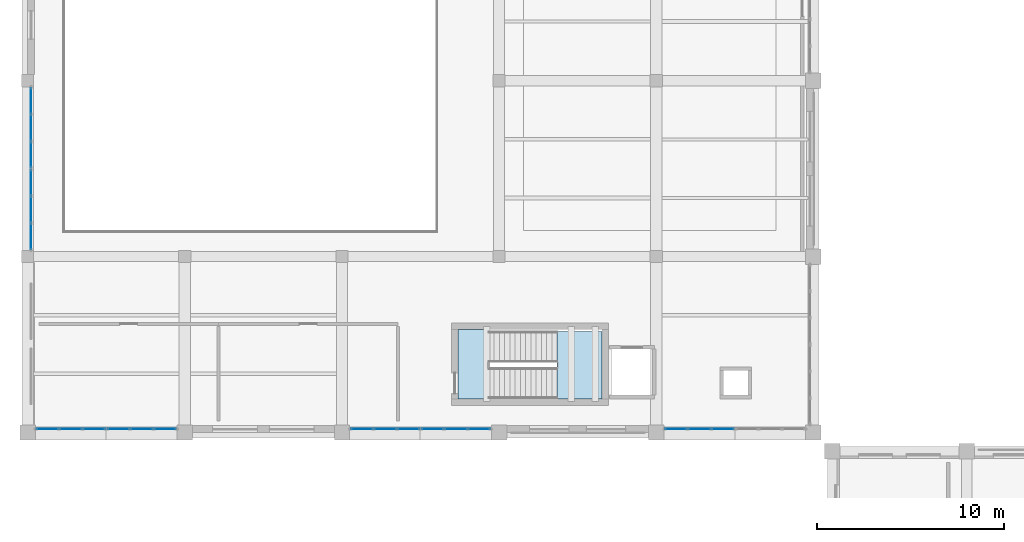
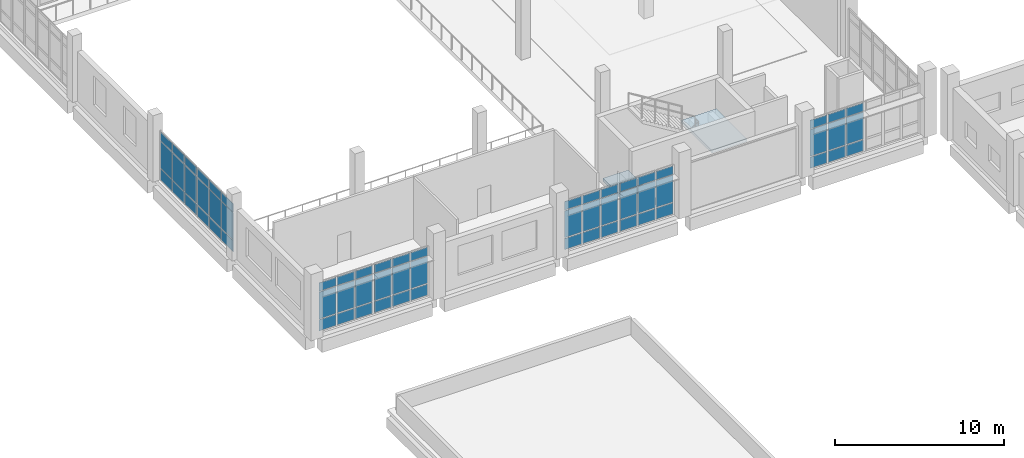
# One storey, part 41 of 73: 63 plates, 2 slabs, 8 elements without a shape of their own.
"""IFC4 building model written with IfcOpenShell, lengths in metres."""

from ifc_helpers import new_model, si_unit, direction, frame, origin, origin_2d, place, context, subcontext, project, spatial, polyline, rectangle, outline, extrude, material, layer, layer_set, type_object, element, aggregate, save


model = new_model("IFC4")

# Units and contexts
model_context = context("Model", 3, precision=1e-05, world=origin(), true_north=direction((0.0, 1.0)))
body_context = subcontext(model_context, "Body", "Model", "MODEL_VIEW")
ifc_project = project(units=[si_unit("LENGTHUNIT", "METRE"), si_unit("AREAUNIT", "SQUARE_METRE"), si_unit("VOLUMEUNIT", "CUBIC_METRE"), si_unit("PLANEANGLEUNIT", "RADIAN"), si_unit("MASSUNIT", "GRAM", prefix="KILO")], contexts=[model_context])

# Site, building, storey
site_placement = place(None, origin())
site = spatial("IfcSite", under=ifc_project, at=site_placement, CompositionType="ELEMENT")
building_placement = place(site_placement, origin())
building = spatial("IfcBuilding", under=site, at=building_placement, Name="Kelarvand Opera House", CompositionType="ELEMENT")
storey_placement = place(building_placement, frame((0.0, 0.0, 10.199951171875)))
storey = spatial("IfcBuildingStorey", under=building, at=storey_placement, Name="L02", CompositionType="ELEMENT", Elevation=10.199951171875)

# Slab
ifc_material_1 = material(Name="Concrete C35/45", Category="concrete")
ifc_layer_1 = layer(ifc_material_1, 0.219970703125, Name="Concrete C35/45", Category="concrete")
ifc_layer_set_1 = layer_set([ifc_layer_1], Name="Concrete C35/45")
slab_type_1 = type_object("IfcSlabType", Name="Core Stair Entry Landing Slab 220", PredefinedType="LANDING", material=ifc_layer_set_1)
slab_1_placement = place(storey_placement, frame((0.0, 0.0, -0.219970703125)))
element("IfcSlab", 1, at=slab_1_placement, inside=storey, type_object=slab_type_1, Name="C5 Stair Entry Landing L02", PredefinedType="LANDING", context=body_context, shape_type="SweptSolid", body=[
    extrude(outline(polyline([(32.0, 89.0), (33.719970703125, 89.0), (33.719970703125, 92.699951171875), (32.0, 92.699951171875), (32.0, 89.0)])), origin(), (0.0, 0.0, 1.0), 0.219970703125),
])

# Curtain wall, plates
ifc_material_2 = material(Name="Thermally broken aluminium and low-E glazing", Category="aluminium")
ifc_layer_2 = layer(ifc_material_2, 0.179931640625, Name="Thermally broken aluminium and low-E glazing", Category="aluminium")
ifc_layer_set_2 = layer_set([ifc_layer_2], Name="Thermally broken aluminium and low-E glazing")
curtain_wall_type_1 = type_object("IfcCurtainWallType", Name="Unitised Low-E Curtain Wall 4326x3600 Mod 1350 CWF-15", PredefinedType="USERDEFINED", material=ifc_layer_set_2)
curtain_wall_1_placement = place(storey_placement, origin())
curtain_wall_1 = element("IfcCurtainWall", 2, at=curtain_wall_1_placement, inside=storey, type_object=curtain_wall_type_1, Name="V3 L02 Curtain Wall CWF-15 (77)", ObjectType="UNITISED CURTAIN WALL", PredefinedType="USERDEFINED")
ifc_material_3 = material(Name="Low-E laminated double glazing", Category="glass")
ifc_layer_3 = layer(ifc_material_3, 0.031982421875, Name="Low-E laminated double glazing", Category="glass")
ifc_layer_set_3 = layer_set([ifc_layer_3], Name="Low-E laminated double glazing")
plate_type = type_object("IfcPlateType", Name="Low-E Argon Double Glazed Curtain Panel 32mm", PredefinedType="CURTAIN_PANEL", material=ifc_layer_set_3)
plate_1_placement = place(storey_placement, frame((9.179931640625, 97.677978515625, 0.06494140625), z_axis=(0.0, 0.0, 1.0), x_axis=(0.0, 1.0, 0.0)))
plate_1 = element("IfcPlate", 3, at=plate_1_placement, type_object=plate_type, Name="CWF-15 panel 1.1", PredefinedType="CURTAIN_PANEL", context=body_context, shape_type="SweptSolid", body=[
    extrude(rectangle(XDim=1.356201171875, YDim=0.031982421875, at=origin_2d()), origin(), (0.0, 0.0, 1.0), 0.802490234375),
])
plate_2_placement = place(storey_placement, frame((9.179931640625, 97.677978515625, 0.9326171875), z_axis=(0.0, 0.0, 1.0), x_axis=(0.0, 1.0, 0.0)))
plate_2 = element("IfcPlate", 4, at=plate_2_placement, type_object=plate_type, Name="CWF-15 panel 1.2", PredefinedType="CURTAIN_PANEL", context=body_context, shape_type="SweptSolid", body=[
    extrude(rectangle(XDim=1.356201171875, YDim=0.031982421875, at=origin_2d()), origin(), (0.0, 0.0, 1.0), 1.93505859375),
])
plate_3_placement = place(storey_placement, frame((9.179931640625, 97.677978515625, 2.9326171875), z_axis=(0.0, 0.0, 1.0), x_axis=(0.0, 1.0, 0.0)))
plate_3 = element("IfcPlate", 5, at=plate_3_placement, type_object=plate_type, Name="CWF-15 panel 1.3", PredefinedType="CURTAIN_PANEL", context=body_context, shape_type="SweptSolid", body=[
    extrude(rectangle(XDim=1.356201171875, YDim=0.031982421875, at=origin_2d()), origin(), (0.0, 0.0, 1.0), 0.6025390625),
])
plate_4_placement = place(storey_placement, frame((9.179931640625, 99.115478515625, 0.06494140625), z_axis=(0.0, 0.0, 1.0), x_axis=(0.0, 1.0, 0.0)))
plate_4 = element("IfcPlate", 6, at=plate_4_placement, type_object=plate_type, Name="CWF-15 panel 2.1", PredefinedType="CURTAIN_PANEL", context=body_context, shape_type="SweptSolid", body=[
    extrude(rectangle(XDim=1.388671875, YDim=0.031982421875, at=origin_2d()), origin(), (0.0, 0.0, 1.0), 0.802490234375),
])
plate_5_placement = place(storey_placement, frame((9.179931640625, 99.115478515625, 0.9326171875), z_axis=(0.0, 0.0, 1.0), x_axis=(0.0, 1.0, 0.0)))
plate_5 = element("IfcPlate", 7, at=plate_5_placement, type_object=plate_type, Name="CWF-15 panel 2.2", PredefinedType="CURTAIN_PANEL", context=body_context, shape_type="SweptSolid", body=[
    extrude(rectangle(XDim=1.388671875, YDim=0.031982421875, at=origin_2d()), origin(), (0.0, 0.0, 1.0), 1.93505859375),
])
plate_6_placement = place(storey_placement, frame((9.179931640625, 99.115478515625, 2.9326171875), z_axis=(0.0, 0.0, 1.0), x_axis=(0.0, 1.0, 0.0)))
plate_6 = element("IfcPlate", 8, at=plate_6_placement, type_object=plate_type, Name="CWF-15 panel 2.3", PredefinedType="CURTAIN_PANEL", context=body_context, shape_type="SweptSolid", body=[
    extrude(rectangle(XDim=1.388671875, YDim=0.031982421875, at=origin_2d()), origin(), (0.0, 0.0, 1.0), 0.6025390625),
])
plate_7_placement = place(storey_placement, frame((9.179931640625, 100.552978515625, 0.06494140625), z_axis=(0.0, 0.0, 1.0), x_axis=(0.0, 1.0, 0.0)))
plate_7 = element("IfcPlate", 9, at=plate_7_placement, type_object=plate_type, Name="CWF-15 panel 3.1", PredefinedType="CURTAIN_PANEL", context=body_context, shape_type="SweptSolid", body=[
    extrude(rectangle(XDim=1.356201171875, YDim=0.031982421875, at=origin_2d()), origin(), (0.0, 0.0, 1.0), 0.802490234375),
])
plate_8_placement = place(storey_placement, frame((9.179931640625, 100.552978515625, 0.9326171875), z_axis=(0.0, 0.0, 1.0), x_axis=(0.0, 1.0, 0.0)))
plate_8 = element("IfcPlate", 10, at=plate_8_placement, type_object=plate_type, Name="CWF-15 panel 3.2", PredefinedType="CURTAIN_PANEL", context=body_context, shape_type="SweptSolid", body=[
    extrude(rectangle(XDim=1.356201171875, YDim=0.031982421875, at=origin_2d()), origin(), (0.0, 0.0, 1.0), 1.93505859375),
])
plate_9_placement = place(storey_placement, frame((9.179931640625, 100.552978515625, 2.9326171875), z_axis=(0.0, 0.0, 1.0), x_axis=(0.0, 1.0, 0.0)))
plate_9 = element("IfcPlate", 11, at=plate_9_placement, type_object=plate_type, Name="CWF-15 panel 3.3", PredefinedType="CURTAIN_PANEL", context=body_context, shape_type="SweptSolid", body=[
    extrude(rectangle(XDim=1.356201171875, YDim=0.031982421875, at=origin_2d()), origin(), (0.0, 0.0, 1.0), 0.6025390625),
])
aggregate(curtain_wall_1, [plate_1, plate_2, plate_3, plate_4, plate_5, plate_6, plate_7, plate_8, plate_9])

curtain_wall_2_placement = place(storey_placement, origin())
curtain_wall_2 = element("IfcCurtainWall", 12, at=curtain_wall_2_placement, inside=storey, type_object=curtain_wall_type_1, Name="V3 L02 Curtain Wall CWF-15 (78)", ObjectType="UNITISED CURTAIN WALL", PredefinedType="USERDEFINED")
plate_10_placement = place(storey_placement, frame((9.179931640625, 102.043701171875, 0.06494140625), z_axis=(0.0, 0.0, 1.0), x_axis=(0.0, 1.0, 0.0)))
plate_10 = element("IfcPlate", 13, at=plate_10_placement, type_object=plate_type, Name="CWF-15 panel 1.1", PredefinedType="CURTAIN_PANEL", context=body_context, shape_type="SweptSolid", body=[
    extrude(rectangle(XDim=1.357421875, YDim=0.031982421875, at=origin_2d()), origin(), (0.0, 0.0, 1.0), 0.802490234375),
])
plate_11_placement = place(storey_placement, frame((9.179931640625, 102.043701171875, 0.9326171875), z_axis=(0.0, 0.0, 1.0), x_axis=(0.0, 1.0, 0.0)))
plate_11 = element("IfcPlate", 14, at=plate_11_placement, type_object=plate_type, Name="CWF-15 panel 1.2", PredefinedType="CURTAIN_PANEL", context=body_context, shape_type="SweptSolid", body=[
    extrude(rectangle(XDim=1.357421875, YDim=0.031982421875, at=origin_2d()), origin(), (0.0, 0.0, 1.0), 1.93505859375),
])
plate_12_placement = place(storey_placement, frame((9.179931640625, 102.043701171875, 2.9326171875), z_axis=(0.0, 0.0, 1.0), x_axis=(0.0, 1.0, 0.0)))
plate_12 = element("IfcPlate", 15, at=plate_12_placement, type_object=plate_type, Name="CWF-15 panel 1.3", PredefinedType="CURTAIN_PANEL", context=body_context, shape_type="SweptSolid", body=[
    extrude(rectangle(XDim=1.357421875, YDim=0.031982421875, at=origin_2d()), origin(), (0.0, 0.0, 1.0), 0.6025390625),
])
plate_13_placement = place(storey_placement, frame((9.179931640625, 103.482421875, 0.06494140625), z_axis=(0.0, 0.0, 1.0), x_axis=(0.0, 1.0, 0.0)))
plate_13 = element("IfcPlate", 16, at=plate_13_placement, type_object=plate_type, Name="CWF-15 panel 2.1", PredefinedType="CURTAIN_PANEL", context=body_context, shape_type="SweptSolid", body=[
    extrude(rectangle(XDim=1.389892578125, YDim=0.031982421875, at=origin_2d()), origin(), (0.0, 0.0, 1.0), 0.802490234375),
])
plate_14_placement = place(storey_placement, frame((9.179931640625, 103.482421875, 0.9326171875), z_axis=(0.0, 0.0, 1.0), x_axis=(0.0, 1.0, 0.0)))
plate_14 = element("IfcPlate", 17, at=plate_14_placement, type_object=plate_type, Name="CWF-15 panel 2.2", PredefinedType="CURTAIN_PANEL", context=body_context, shape_type="SweptSolid", body=[
    extrude(rectangle(XDim=1.389892578125, YDim=0.031982421875, at=origin_2d()), origin(), (0.0, 0.0, 1.0), 1.93505859375),
])
plate_15_placement = place(storey_placement, frame((9.179931640625, 103.482421875, 2.9326171875), z_axis=(0.0, 0.0, 1.0), x_axis=(0.0, 1.0, 0.0)))
plate_15 = element("IfcPlate", 18, at=plate_15_placement, type_object=plate_type, Name="CWF-15 panel 2.3", PredefinedType="CURTAIN_PANEL", context=body_context, shape_type="SweptSolid", body=[
    extrude(rectangle(XDim=1.389892578125, YDim=0.031982421875, at=origin_2d()), origin(), (0.0, 0.0, 1.0), 0.6025390625),
])
plate_16_placement = place(storey_placement, frame((9.179931640625, 104.921142578125, 0.06494140625), z_axis=(0.0, 0.0, 1.0), x_axis=(0.0, 1.0, 0.0)))
plate_16 = element("IfcPlate", 19, at=plate_16_placement, type_object=plate_type, Name="CWF-15 panel 3.1", PredefinedType="CURTAIN_PANEL", context=body_context, shape_type="SweptSolid", body=[
    extrude(rectangle(XDim=1.357421875, YDim=0.031982421875, at=origin_2d()), origin(), (0.0, 0.0, 1.0), 0.802490234375),
])
plate_17_placement = place(storey_placement, frame((9.179931640625, 104.921142578125, 0.9326171875), z_axis=(0.0, 0.0, 1.0), x_axis=(0.0, 1.0, 0.0)))
plate_17 = element("IfcPlate", 20, at=plate_17_placement, type_object=plate_type, Name="CWF-15 panel 3.2", PredefinedType="CURTAIN_PANEL", context=body_context, shape_type="SweptSolid", body=[
    extrude(rectangle(XDim=1.357421875, YDim=0.031982421875, at=origin_2d()), origin(), (0.0, 0.0, 1.0), 1.93505859375),
])
plate_18_placement = place(storey_placement, frame((9.179931640625, 104.921142578125, 2.9326171875), z_axis=(0.0, 0.0, 1.0), x_axis=(0.0, 1.0, 0.0)))
plate_18 = element("IfcPlate", 21, at=plate_18_placement, type_object=plate_type, Name="CWF-15 panel 3.3", PredefinedType="CURTAIN_PANEL", context=body_context, shape_type="SweptSolid", body=[
    extrude(rectangle(XDim=1.357421875, YDim=0.031982421875, at=origin_2d()), origin(), (0.0, 0.0, 1.0), 0.6025390625),
])
aggregate(curtain_wall_2, [plate_10, plate_11, plate_12, plate_13, plate_14, plate_15, plate_16, plate_17, plate_18])

ifc_layer_4 = layer(ifc_material_2, 0.179931640625, Name="Thermally broken aluminium and low-E glazing", Category="aluminium")
ifc_layer_set_4 = layer_set([ifc_layer_4], Name="Thermally broken aluminium and low-E glazing")
curtain_wall_type_2 = type_object("IfcCurtainWallType", Name="Unitised Low-E Curtain Wall 3818x3600 Mod 1350 CWF-18", PredefinedType="USERDEFINED", material=ifc_layer_set_4)
curtain_wall_3_placement = place(storey_placement, origin())
curtain_wall_3 = element("IfcCurtainWall", 22, at=curtain_wall_3_placement, inside=storey, type_object=curtain_wall_type_2, Name="V3 L02 Curtain Wall CWF-18 (82)", ObjectType="UNITISED CURTAIN WALL", PredefinedType="USERDEFINED")
plate_19_placement = place(storey_placement, frame((46.15380859375, 87.3798828125, 0.06494140625), z_axis=(0.0, 0.0, 1.0), x_axis=(-1.0, 0.0, 0.0)))
plate_19 = element("IfcPlate", 23, at=plate_19_placement, type_object=plate_type, Name="CWF-18 panel 1.1", PredefinedType="CURTAIN_PANEL", context=body_context, shape_type="SweptSolid", body=[
    extrude(rectangle(XDim=1.16259765625, YDim=0.031982421875, at=origin_2d()), origin(), (0.0, 0.0, 1.0), 0.802490234375),
])
plate_20_placement = place(storey_placement, frame((46.15380859375, 87.3798828125, 0.9326171875), z_axis=(0.0, 0.0, 1.0), x_axis=(-1.0, 0.0, 0.0)))
plate_20 = element("IfcPlate", 24, at=plate_20_placement, type_object=plate_type, Name="CWF-18 panel 1.2", PredefinedType="CURTAIN_PANEL", context=body_context, shape_type="SweptSolid", body=[
    extrude(rectangle(XDim=1.16259765625, YDim=0.031982421875, at=origin_2d()), origin(), (0.0, 0.0, 1.0), 1.93505859375),
])
plate_21_placement = place(storey_placement, frame((46.15380859375, 87.3798828125, 2.9326171875), z_axis=(0.0, 0.0, 1.0), x_axis=(-1.0, 0.0, 0.0)))
plate_21 = element("IfcPlate", 25, at=plate_21_placement, type_object=plate_type, Name="CWF-18 panel 1.3", PredefinedType="CURTAIN_PANEL", context=body_context, shape_type="SweptSolid", body=[
    extrude(rectangle(XDim=1.16259765625, YDim=0.031982421875, at=origin_2d()), origin(), (0.0, 0.0, 1.0), 0.6025390625),
])
plate_22_placement = place(storey_placement, frame((44.909912109375, 87.3798828125, 0.06494140625), z_axis=(0.0, 0.0, 1.0), x_axis=(-1.0, 0.0, 0.0)))
plate_22 = element("IfcPlate", 26, at=plate_22_placement, type_object=plate_type, Name="CWF-18 panel 2.1", PredefinedType="CURTAIN_PANEL", context=body_context, shape_type="SweptSolid", body=[
    extrude(rectangle(XDim=1.195068359375, YDim=0.031982421875, at=origin_2d()), origin(), (0.0, 0.0, 1.0), 0.802490234375),
])
plate_23_placement = place(storey_placement, frame((44.909912109375, 87.3798828125, 0.9326171875), z_axis=(0.0, 0.0, 1.0), x_axis=(-1.0, 0.0, 0.0)))
plate_23 = element("IfcPlate", 27, at=plate_23_placement, type_object=plate_type, Name="CWF-18 panel 2.2", PredefinedType="CURTAIN_PANEL", context=body_context, shape_type="SweptSolid", body=[
    extrude(rectangle(XDim=1.195068359375, YDim=0.031982421875, at=origin_2d()), origin(), (0.0, 0.0, 1.0), 1.93505859375),
])
plate_24_placement = place(storey_placement, frame((44.909912109375, 87.3798828125, 2.9326171875), z_axis=(0.0, 0.0, 1.0), x_axis=(-1.0, 0.0, 0.0)))
plate_24 = element("IfcPlate", 28, at=plate_24_placement, type_object=plate_type, Name="CWF-18 panel 2.3", PredefinedType="CURTAIN_PANEL", context=body_context, shape_type="SweptSolid", body=[
    extrude(rectangle(XDim=1.195068359375, YDim=0.031982421875, at=origin_2d()), origin(), (0.0, 0.0, 1.0), 0.6025390625),
])
plate_25_placement = place(storey_placement, frame((43.666259765625, 87.3798828125, 0.06494140625), z_axis=(0.0, 0.0, 1.0), x_axis=(-1.0, 0.0, 0.0)))
plate_25 = element("IfcPlate", 29, at=plate_25_placement, type_object=plate_type, Name="CWF-18 panel 3.1", PredefinedType="CURTAIN_PANEL", context=body_context, shape_type="SweptSolid", body=[
    extrude(rectangle(XDim=1.16259765625, YDim=0.031982421875, at=origin_2d()), origin(), (0.0, 0.0, 1.0), 0.802490234375),
])
plate_26_placement = place(storey_placement, frame((43.666259765625, 87.3798828125, 0.9326171875), z_axis=(0.0, 0.0, 1.0), x_axis=(-1.0, 0.0, 0.0)))
plate_26 = element("IfcPlate", 30, at=plate_26_placement, type_object=plate_type, Name="CWF-18 panel 3.2", PredefinedType="CURTAIN_PANEL", context=body_context, shape_type="SweptSolid", body=[
    extrude(rectangle(XDim=1.16259765625, YDim=0.031982421875, at=origin_2d()), origin(), (0.0, 0.0, 1.0), 1.93505859375),
])
plate_27_placement = place(storey_placement, frame((43.666259765625, 87.3798828125, 2.9326171875), z_axis=(0.0, 0.0, 1.0), x_axis=(-1.0, 0.0, 0.0)))
plate_27 = element("IfcPlate", 31, at=plate_27_placement, type_object=plate_type, Name="CWF-18 panel 3.3", PredefinedType="CURTAIN_PANEL", context=body_context, shape_type="SweptSolid", body=[
    extrude(rectangle(XDim=1.16259765625, YDim=0.031982421875, at=origin_2d()), origin(), (0.0, 0.0, 1.0), 0.6025390625),
])
aggregate(curtain_wall_3, [plate_19, plate_20, plate_21, plate_22, plate_23, plate_24, plate_25, plate_26, plate_27])

curtain_wall_4_placement = place(storey_placement, origin())
curtain_wall_4 = element("IfcCurtainWall", 32, at=curtain_wall_4_placement, inside=storey, type_object=curtain_wall_type_2, Name="V3 L02 Curtain Wall CWF-18 (83)", ObjectType="UNITISED CURTAIN WALL", PredefinedType="USERDEFINED")
plate_28_placement = place(storey_placement, frame((33.134521484375, 87.3798828125, 0.06494140625), z_axis=(0.0, 0.0, 1.0), x_axis=(-1.0, 0.0, 0.0)))
plate_28 = element("IfcPlate", 33, at=plate_28_placement, type_object=plate_type, Name="CWF-18 panel 1.1", PredefinedType="CURTAIN_PANEL", context=body_context, shape_type="SweptSolid", body=[
    extrude(rectangle(XDim=1.1611328125, YDim=0.031982421875, at=origin_2d()), origin(), (0.0, 0.0, 1.0), 0.802490234375),
])
plate_29_placement = place(storey_placement, frame((33.134521484375, 87.3798828125, 0.9326171875), z_axis=(0.0, 0.0, 1.0), x_axis=(-1.0, 0.0, 0.0)))
plate_29 = element("IfcPlate", 34, at=plate_29_placement, type_object=plate_type, Name="CWF-18 panel 1.2", PredefinedType="CURTAIN_PANEL", context=body_context, shape_type="SweptSolid", body=[
    extrude(rectangle(XDim=1.1611328125, YDim=0.031982421875, at=origin_2d()), origin(), (0.0, 0.0, 1.0), 1.93505859375),
])
plate_30_placement = place(storey_placement, frame((33.134521484375, 87.3798828125, 2.9326171875), z_axis=(0.0, 0.0, 1.0), x_axis=(-1.0, 0.0, 0.0)))
plate_30 = element("IfcPlate", 35, at=plate_30_placement, type_object=plate_type, Name="CWF-18 panel 1.3", PredefinedType="CURTAIN_PANEL", context=body_context, shape_type="SweptSolid", body=[
    extrude(rectangle(XDim=1.1611328125, YDim=0.031982421875, at=origin_2d()), origin(), (0.0, 0.0, 1.0), 0.6025390625),
])
plate_31_placement = place(storey_placement, frame((31.89208984375, 87.3798828125, 0.06494140625), z_axis=(0.0, 0.0, 1.0), x_axis=(-1.0, 0.0, 0.0)))
plate_31 = element("IfcPlate", 36, at=plate_31_placement, type_object=plate_type, Name="CWF-18 panel 2.1", PredefinedType="CURTAIN_PANEL", context=body_context, shape_type="SweptSolid", body=[
    extrude(rectangle(XDim=1.193603515625, YDim=0.031982421875, at=origin_2d()), origin(), (0.0, 0.0, 1.0), 0.802490234375),
])
plate_32_placement = place(storey_placement, frame((31.89208984375, 87.3798828125, 0.9326171875), z_axis=(0.0, 0.0, 1.0), x_axis=(-1.0, 0.0, 0.0)))
plate_32 = element("IfcPlate", 37, at=plate_32_placement, type_object=plate_type, Name="CWF-18 panel 2.2", PredefinedType="CURTAIN_PANEL", context=body_context, shape_type="SweptSolid", body=[
    extrude(rectangle(XDim=1.193603515625, YDim=0.031982421875, at=origin_2d()), origin(), (0.0, 0.0, 1.0), 1.93505859375),
])
plate_33_placement = place(storey_placement, frame((31.89208984375, 87.3798828125, 2.9326171875), z_axis=(0.0, 0.0, 1.0), x_axis=(-1.0, 0.0, 0.0)))
plate_33 = element("IfcPlate", 38, at=plate_33_placement, type_object=plate_type, Name="CWF-18 panel 2.3", PredefinedType="CURTAIN_PANEL", context=body_context, shape_type="SweptSolid", body=[
    extrude(rectangle(XDim=1.193603515625, YDim=0.031982421875, at=origin_2d()), origin(), (0.0, 0.0, 1.0), 0.6025390625),
])
plate_34_placement = place(storey_placement, frame((30.649658203125, 87.3798828125, 0.06494140625), z_axis=(0.0, 0.0, 1.0), x_axis=(-1.0, 0.0, 0.0)))
plate_34 = element("IfcPlate", 39, at=plate_34_placement, type_object=plate_type, Name="CWF-18 panel 3.1", PredefinedType="CURTAIN_PANEL", context=body_context, shape_type="SweptSolid", body=[
    extrude(rectangle(XDim=1.1611328125, YDim=0.031982421875, at=origin_2d()), origin(), (0.0, 0.0, 1.0), 0.802490234375),
])
plate_35_placement = place(storey_placement, frame((30.649658203125, 87.3798828125, 0.9326171875), z_axis=(0.0, 0.0, 1.0), x_axis=(-1.0, 0.0, 0.0)))
plate_35 = element("IfcPlate", 40, at=plate_35_placement, type_object=plate_type, Name="CWF-18 panel 3.2", PredefinedType="CURTAIN_PANEL", context=body_context, shape_type="SweptSolid", body=[
    extrude(rectangle(XDim=1.1611328125, YDim=0.031982421875, at=origin_2d()), origin(), (0.0, 0.0, 1.0), 1.93505859375),
])
plate_36_placement = place(storey_placement, frame((30.649658203125, 87.3798828125, 2.9326171875), z_axis=(0.0, 0.0, 1.0), x_axis=(-1.0, 0.0, 0.0)))
plate_36 = element("IfcPlate", 41, at=plate_36_placement, type_object=plate_type, Name="CWF-18 panel 3.3", PredefinedType="CURTAIN_PANEL", context=body_context, shape_type="SweptSolid", body=[
    extrude(rectangle(XDim=1.1611328125, YDim=0.031982421875, at=origin_2d()), origin(), (0.0, 0.0, 1.0), 0.6025390625),
])
aggregate(curtain_wall_4, [plate_28, plate_29, plate_30, plate_31, plate_32, plate_33, plate_34, plate_35, plate_36])

curtain_wall_5_placement = place(storey_placement, origin())
curtain_wall_5 = element("IfcCurtainWall", 42, at=curtain_wall_5_placement, inside=storey, type_object=curtain_wall_type_2, Name="V3 L02 Curtain Wall CWF-18 (84)", ObjectType="UNITISED CURTAIN WALL", PredefinedType="USERDEFINED")
plate_37_placement = place(storey_placement, frame((29.353759765625, 87.3798828125, 0.06494140625), z_axis=(0.0, 0.0, 1.0), x_axis=(-1.0, 0.0, 0.0)))
plate_37 = element("IfcPlate", 43, at=plate_37_placement, type_object=plate_type, Name="CWF-18 panel 1.1", PredefinedType="CURTAIN_PANEL", context=body_context, shape_type="SweptSolid", body=[
    extrude(rectangle(XDim=1.16259765625, YDim=0.031982421875, at=origin_2d()), origin(), (0.0, 0.0, 1.0), 0.802490234375),
])
plate_38_placement = place(storey_placement, frame((29.353759765625, 87.3798828125, 0.9326171875), z_axis=(0.0, 0.0, 1.0), x_axis=(-1.0, 0.0, 0.0)))
plate_38 = element("IfcPlate", 44, at=plate_38_placement, type_object=plate_type, Name="CWF-18 panel 1.2", PredefinedType="CURTAIN_PANEL", context=body_context, shape_type="SweptSolid", body=[
    extrude(rectangle(XDim=1.16259765625, YDim=0.031982421875, at=origin_2d()), origin(), (0.0, 0.0, 1.0), 1.93505859375),
])
plate_39_placement = place(storey_placement, frame((29.353759765625, 87.3798828125, 2.9326171875), z_axis=(0.0, 0.0, 1.0), x_axis=(-1.0, 0.0, 0.0)))
plate_39 = element("IfcPlate", 45, at=plate_39_placement, type_object=plate_type, Name="CWF-18 panel 1.3", PredefinedType="CURTAIN_PANEL", context=body_context, shape_type="SweptSolid", body=[
    extrude(rectangle(XDim=1.16259765625, YDim=0.031982421875, at=origin_2d()), origin(), (0.0, 0.0, 1.0), 0.6025390625),
])
plate_40_placement = place(storey_placement, frame((28.110107421875, 87.3798828125, 0.06494140625), z_axis=(0.0, 0.0, 1.0), x_axis=(-1.0, 0.0, 0.0)))
plate_40 = element("IfcPlate", 46, at=plate_40_placement, type_object=plate_type, Name="CWF-18 panel 2.1", PredefinedType="CURTAIN_PANEL", context=body_context, shape_type="SweptSolid", body=[
    extrude(rectangle(XDim=1.195068359375, YDim=0.031982421875, at=origin_2d()), origin(), (0.0, 0.0, 1.0), 0.802490234375),
])
plate_41_placement = place(storey_placement, frame((28.110107421875, 87.3798828125, 0.9326171875), z_axis=(0.0, 0.0, 1.0), x_axis=(-1.0, 0.0, 0.0)))
plate_41 = element("IfcPlate", 47, at=plate_41_placement, type_object=plate_type, Name="CWF-18 panel 2.2", PredefinedType="CURTAIN_PANEL", context=body_context, shape_type="SweptSolid", body=[
    extrude(rectangle(XDim=1.195068359375, YDim=0.031982421875, at=origin_2d()), origin(), (0.0, 0.0, 1.0), 1.93505859375),
])
plate_42_placement = place(storey_placement, frame((28.110107421875, 87.3798828125, 2.9326171875), z_axis=(0.0, 0.0, 1.0), x_axis=(-1.0, 0.0, 0.0)))
plate_42 = element("IfcPlate", 48, at=plate_42_placement, type_object=plate_type, Name="CWF-18 panel 2.3", PredefinedType="CURTAIN_PANEL", context=body_context, shape_type="SweptSolid", body=[
    extrude(rectangle(XDim=1.195068359375, YDim=0.031982421875, at=origin_2d()), origin(), (0.0, 0.0, 1.0), 0.6025390625),
])
plate_43_placement = place(storey_placement, frame((26.8662109375, 87.3798828125, 0.06494140625), z_axis=(0.0, 0.0, 1.0), x_axis=(-1.0, 0.0, 0.0)))
plate_43 = element("IfcPlate", 49, at=plate_43_placement, type_object=plate_type, Name="CWF-18 panel 3.1", PredefinedType="CURTAIN_PANEL", context=body_context, shape_type="SweptSolid", body=[
    extrude(rectangle(XDim=1.16259765625, YDim=0.031982421875, at=origin_2d()), origin(), (0.0, 0.0, 1.0), 0.802490234375),
])
plate_44_placement = place(storey_placement, frame((26.8662109375, 87.3798828125, 0.9326171875), z_axis=(0.0, 0.0, 1.0), x_axis=(-1.0, 0.0, 0.0)))
plate_44 = element("IfcPlate", 50, at=plate_44_placement, type_object=plate_type, Name="CWF-18 panel 3.2", PredefinedType="CURTAIN_PANEL", context=body_context, shape_type="SweptSolid", body=[
    extrude(rectangle(XDim=1.16259765625, YDim=0.031982421875, at=origin_2d()), origin(), (0.0, 0.0, 1.0), 1.93505859375),
])
plate_45_placement = place(storey_placement, frame((26.8662109375, 87.3798828125, 2.9326171875), z_axis=(0.0, 0.0, 1.0), x_axis=(-1.0, 0.0, 0.0)))
plate_45 = element("IfcPlate", 51, at=plate_45_placement, type_object=plate_type, Name="CWF-18 panel 3.3", PredefinedType="CURTAIN_PANEL", context=body_context, shape_type="SweptSolid", body=[
    extrude(rectangle(XDim=1.16259765625, YDim=0.031982421875, at=origin_2d()), origin(), (0.0, 0.0, 1.0), 0.6025390625),
])
aggregate(curtain_wall_5, [plate_37, plate_38, plate_39, plate_40, plate_41, plate_42, plate_43, plate_44, plate_45])

curtain_wall_6_placement = place(storey_placement, origin())
curtain_wall_6 = element("IfcCurtainWall", 52, at=curtain_wall_6_placement, inside=storey, type_object=curtain_wall_type_2, Name="V3 L02 Curtain Wall CWF-18 (85)", ObjectType="UNITISED CURTAIN WALL", PredefinedType="USERDEFINED")
plate_46_placement = place(storey_placement, frame((16.33447265625, 87.3798828125, 0.06494140625), z_axis=(0.0, 0.0, 1.0), x_axis=(-1.0, 0.0, 0.0)))
plate_46 = element("IfcPlate", 53, at=plate_46_placement, type_object=plate_type, Name="CWF-18 panel 1.1", PredefinedType="CURTAIN_PANEL", context=body_context, shape_type="SweptSolid", body=[
    extrude(rectangle(XDim=1.1611328125, YDim=0.031982421875, at=origin_2d()), origin(), (0.0, 0.0, 1.0), 0.802490234375),
])
plate_47_placement = place(storey_placement, frame((16.33447265625, 87.3798828125, 0.9326171875), z_axis=(0.0, 0.0, 1.0), x_axis=(-1.0, 0.0, 0.0)))
plate_47 = element("IfcPlate", 54, at=plate_47_placement, type_object=plate_type, Name="CWF-18 panel 1.2", PredefinedType="CURTAIN_PANEL", context=body_context, shape_type="SweptSolid", body=[
    extrude(rectangle(XDim=1.1611328125, YDim=0.031982421875, at=origin_2d()), origin(), (0.0, 0.0, 1.0), 1.93505859375),
])
plate_48_placement = place(storey_placement, frame((16.33447265625, 87.3798828125, 2.9326171875), z_axis=(0.0, 0.0, 1.0), x_axis=(-1.0, 0.0, 0.0)))
plate_48 = element("IfcPlate", 55, at=plate_48_placement, type_object=plate_type, Name="CWF-18 panel 1.3", PredefinedType="CURTAIN_PANEL", context=body_context, shape_type="SweptSolid", body=[
    extrude(rectangle(XDim=1.1611328125, YDim=0.031982421875, at=origin_2d()), origin(), (0.0, 0.0, 1.0), 0.6025390625),
])
plate_49_placement = place(storey_placement, frame((15.092041015625, 87.3798828125, 0.06494140625), z_axis=(0.0, 0.0, 1.0), x_axis=(-1.0, 0.0, 0.0)))
plate_49 = element("IfcPlate", 56, at=plate_49_placement, type_object=plate_type, Name="CWF-18 panel 2.1", PredefinedType="CURTAIN_PANEL", context=body_context, shape_type="SweptSolid", body=[
    extrude(rectangle(XDim=1.193603515625, YDim=0.031982421875, at=origin_2d()), origin(), (0.0, 0.0, 1.0), 0.802490234375),
])
plate_50_placement = place(storey_placement, frame((15.092041015625, 87.3798828125, 0.9326171875), z_axis=(0.0, 0.0, 1.0), x_axis=(-1.0, 0.0, 0.0)))
plate_50 = element("IfcPlate", 57, at=plate_50_placement, type_object=plate_type, Name="CWF-18 panel 2.2", PredefinedType="CURTAIN_PANEL", context=body_context, shape_type="SweptSolid", body=[
    extrude(rectangle(XDim=1.193603515625, YDim=0.031982421875, at=origin_2d()), origin(), (0.0, 0.0, 1.0), 1.93505859375),
])
plate_51_placement = place(storey_placement, frame((15.092041015625, 87.3798828125, 2.9326171875), z_axis=(0.0, 0.0, 1.0), x_axis=(-1.0, 0.0, 0.0)))
plate_51 = element("IfcPlate", 58, at=plate_51_placement, type_object=plate_type, Name="CWF-18 panel 2.3", PredefinedType="CURTAIN_PANEL", context=body_context, shape_type="SweptSolid", body=[
    extrude(rectangle(XDim=1.193603515625, YDim=0.031982421875, at=origin_2d()), origin(), (0.0, 0.0, 1.0), 0.6025390625),
])
plate_52_placement = place(storey_placement, frame((13.849609375, 87.3798828125, 0.06494140625), z_axis=(0.0, 0.0, 1.0), x_axis=(-1.0, 0.0, 0.0)))
plate_52 = element("IfcPlate", 59, at=plate_52_placement, type_object=plate_type, Name="CWF-18 panel 3.1", PredefinedType="CURTAIN_PANEL", context=body_context, shape_type="SweptSolid", body=[
    extrude(rectangle(XDim=1.1611328125, YDim=0.031982421875, at=origin_2d()), origin(), (0.0, 0.0, 1.0), 0.802490234375),
])
plate_53_placement = place(storey_placement, frame((13.849609375, 87.3798828125, 0.9326171875), z_axis=(0.0, 0.0, 1.0), x_axis=(-1.0, 0.0, 0.0)))
plate_53 = element("IfcPlate", 60, at=plate_53_placement, type_object=plate_type, Name="CWF-18 panel 3.2", PredefinedType="CURTAIN_PANEL", context=body_context, shape_type="SweptSolid", body=[
    extrude(rectangle(XDim=1.1611328125, YDim=0.031982421875, at=origin_2d()), origin(), (0.0, 0.0, 1.0), 1.93505859375),
])
plate_54_placement = place(storey_placement, frame((13.849609375, 87.3798828125, 2.9326171875), z_axis=(0.0, 0.0, 1.0), x_axis=(-1.0, 0.0, 0.0)))
plate_54 = element("IfcPlate", 61, at=plate_54_placement, type_object=plate_type, Name="CWF-18 panel 3.3", PredefinedType="CURTAIN_PANEL", context=body_context, shape_type="SweptSolid", body=[
    extrude(rectangle(XDim=1.1611328125, YDim=0.031982421875, at=origin_2d()), origin(), (0.0, 0.0, 1.0), 0.6025390625),
])
aggregate(curtain_wall_6, [plate_46, plate_47, plate_48, plate_49, plate_50, plate_51, plate_52, plate_53, plate_54])

curtain_wall_7_placement = place(storey_placement, origin())
curtain_wall_7 = element("IfcCurtainWall", 62, at=curtain_wall_7_placement, inside=storey, type_object=curtain_wall_type_2, Name="V3 L02 Curtain Wall CWF-18 (86)", ObjectType="UNITISED CURTAIN WALL", PredefinedType="USERDEFINED")
plate_55_placement = place(storey_placement, frame((12.5537109375, 87.3798828125, 0.06494140625), z_axis=(0.0, 0.0, 1.0), x_axis=(-1.0, 0.0, 0.0)))
plate_55 = element("IfcPlate", 63, at=plate_55_placement, type_object=plate_type, Name="CWF-18 panel 1.1", PredefinedType="CURTAIN_PANEL", context=body_context, shape_type="SweptSolid", body=[
    extrude(rectangle(XDim=1.16259765625, YDim=0.031982421875, at=origin_2d()), origin(), (0.0, 0.0, 1.0), 0.802490234375),
])
plate_56_placement = place(storey_placement, frame((12.5537109375, 87.3798828125, 0.9326171875), z_axis=(0.0, 0.0, 1.0), x_axis=(-1.0, 0.0, 0.0)))
plate_56 = element("IfcPlate", 64, at=plate_56_placement, type_object=plate_type, Name="CWF-18 panel 1.2", PredefinedType="CURTAIN_PANEL", context=body_context, shape_type="SweptSolid", body=[
    extrude(rectangle(XDim=1.16259765625, YDim=0.031982421875, at=origin_2d()), origin(), (0.0, 0.0, 1.0), 1.93505859375),
])
plate_57_placement = place(storey_placement, frame((12.5537109375, 87.3798828125, 2.9326171875), z_axis=(0.0, 0.0, 1.0), x_axis=(-1.0, 0.0, 0.0)))
plate_57 = element("IfcPlate", 65, at=plate_57_placement, type_object=plate_type, Name="CWF-18 panel 1.3", PredefinedType="CURTAIN_PANEL", context=body_context, shape_type="SweptSolid", body=[
    extrude(rectangle(XDim=1.16259765625, YDim=0.031982421875, at=origin_2d()), origin(), (0.0, 0.0, 1.0), 0.6025390625),
])
plate_58_placement = place(storey_placement, frame((11.31005859375, 87.3798828125, 0.06494140625), z_axis=(0.0, 0.0, 1.0), x_axis=(-1.0, 0.0, 0.0)))
plate_58 = element("IfcPlate", 66, at=plate_58_placement, type_object=plate_type, Name="CWF-18 panel 2.1", PredefinedType="CURTAIN_PANEL", context=body_context, shape_type="SweptSolid", body=[
    extrude(rectangle(XDim=1.195068359375, YDim=0.031982421875, at=origin_2d()), origin(), (0.0, 0.0, 1.0), 0.802490234375),
])
plate_59_placement = place(storey_placement, frame((11.31005859375, 87.3798828125, 0.9326171875), z_axis=(0.0, 0.0, 1.0), x_axis=(-1.0, 0.0, 0.0)))
plate_59 = element("IfcPlate", 67, at=plate_59_placement, type_object=plate_type, Name="CWF-18 panel 2.2", PredefinedType="CURTAIN_PANEL", context=body_context, shape_type="SweptSolid", body=[
    extrude(rectangle(XDim=1.195068359375, YDim=0.031982421875, at=origin_2d()), origin(), (0.0, 0.0, 1.0), 1.93505859375),
])
plate_60_placement = place(storey_placement, frame((11.31005859375, 87.3798828125, 2.9326171875), z_axis=(0.0, 0.0, 1.0), x_axis=(-1.0, 0.0, 0.0)))
plate_60 = element("IfcPlate", 68, at=plate_60_placement, type_object=plate_type, Name="CWF-18 panel 2.3", PredefinedType="CURTAIN_PANEL", context=body_context, shape_type="SweptSolid", body=[
    extrude(rectangle(XDim=1.195068359375, YDim=0.031982421875, at=origin_2d()), origin(), (0.0, 0.0, 1.0), 0.6025390625),
])
plate_61_placement = place(storey_placement, frame((10.066162109375, 87.3798828125, 0.06494140625), z_axis=(0.0, 0.0, 1.0), x_axis=(-1.0, 0.0, 0.0)))
plate_61 = element("IfcPlate", 69, at=plate_61_placement, type_object=plate_type, Name="CWF-18 panel 3.1", PredefinedType="CURTAIN_PANEL", context=body_context, shape_type="SweptSolid", body=[
    extrude(rectangle(XDim=1.16259765625, YDim=0.031982421875, at=origin_2d()), origin(), (0.0, 0.0, 1.0), 0.802490234375),
])
plate_62_placement = place(storey_placement, frame((10.066162109375, 87.3798828125, 0.9326171875), z_axis=(0.0, 0.0, 1.0), x_axis=(-1.0, 0.0, 0.0)))
plate_62 = element("IfcPlate", 70, at=plate_62_placement, type_object=plate_type, Name="CWF-18 panel 3.2", PredefinedType="CURTAIN_PANEL", context=body_context, shape_type="SweptSolid", body=[
    extrude(rectangle(XDim=1.16259765625, YDim=0.031982421875, at=origin_2d()), origin(), (0.0, 0.0, 1.0), 1.93505859375),
])
plate_63_placement = place(storey_placement, frame((10.066162109375, 87.3798828125, 2.9326171875), z_axis=(0.0, 0.0, 1.0), x_axis=(-1.0, 0.0, 0.0)))
plate_63 = element("IfcPlate", 71, at=plate_63_placement, type_object=plate_type, Name="CWF-18 panel 3.3", PredefinedType="CURTAIN_PANEL", context=body_context, shape_type="SweptSolid", body=[
    extrude(rectangle(XDim=1.16259765625, YDim=0.031982421875, at=origin_2d()), origin(), (0.0, 0.0, 1.0), 0.6025390625),
])
aggregate(curtain_wall_7, [plate_55, plate_56, plate_57, plate_58, plate_59, plate_60, plate_61, plate_62, plate_63])

# Stair, slab
stair_type = type_object("IfcStairType", Name="Dogleg Concrete Exit Stair 1660mm 28R STA-01", PredefinedType="HALF_TURN_STAIR", material=ifc_material_1)
stair_placement = place(storey_placement, origin())
stair = element("IfcStair", 72, at=stair_placement, inside=storey, type_object=stair_type, Name="L02 Rehearsal Pavilion Core C5 Stair ST-05", PredefinedType="HALF_TURN_STAIR")
ifc_layer_5 = layer(ifc_material_1, 0.199951171875, Name="Concrete C35/45", Category="concrete")
ifc_layer_set_5 = layer_set([ifc_layer_5], Name="Concrete C35/45")
slab_type_2 = type_object("IfcSlabType", Name="Precast Stair Half-Landing Slab 200", PredefinedType="LANDING", material=ifc_layer_set_5)
slab_2_placement = place(storey_placement, frame((0.0, 0.0, 2.199951171875)))
slab_2 = element("IfcSlab", 73, at=slab_2_placement, type_object=slab_type_2, Name="ST-05 landing 1", PredefinedType="LANDING", context=body_context, shape_type="SweptSolid", body=[
    extrude(outline(polyline([(37.300048828125, 89.0), (39.699951171875, 89.0), (39.699951171875, 92.60009765625), (37.300048828125, 92.60009765625), (37.300048828125, 89.0)])), origin(), (0.0, 0.0, 1.0), 0.2001953125),
])
aggregate(stair, [slab_2])

save(model, "model.ifc")
